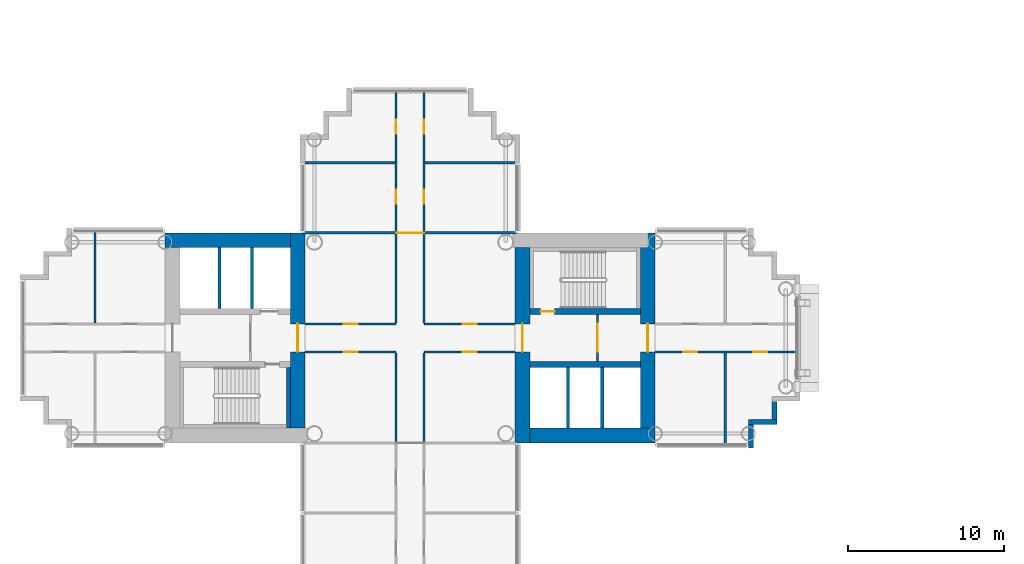
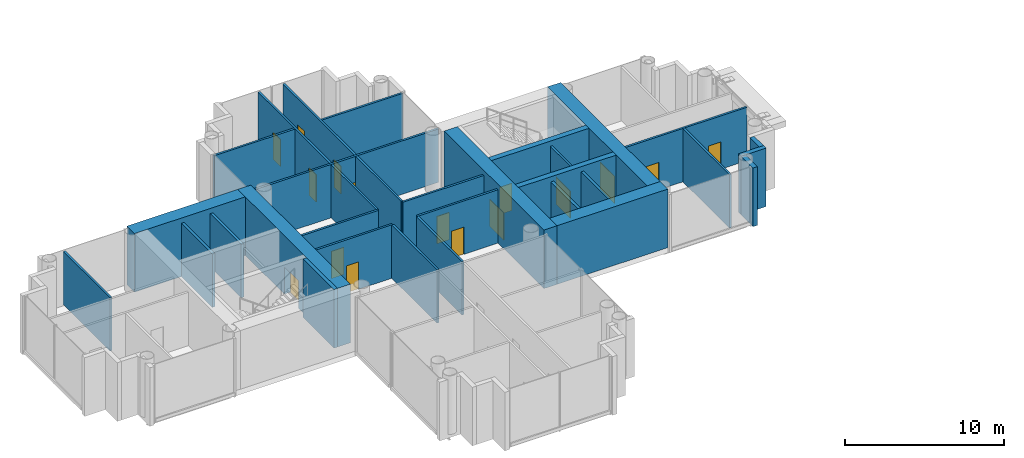
# One storey, part 11 of 20: 32 walls, 16 doors, 16 openings.
"""IFC4 building model written with IfcOpenShell, lengths in metres."""

from ifc_helpers import new_model, si_unit, direction, frame, frame_2d, origin, place, context, subcontext, project, spatial, rectangle, extrude, material, layer, layer_set, type_object, element, fill, save


model = new_model("IFC4")

# Units and contexts
model_context = context("Model", 3, precision=1e-05, world=origin(), true_north=direction((0.0, 1.0)))
body_context = subcontext(model_context, "Body", "Model", "MODEL_VIEW")
ifc_project = project(units=[si_unit("LENGTHUNIT", "METRE"), si_unit("AREAUNIT", "SQUARE_METRE"), si_unit("VOLUMEUNIT", "CUBIC_METRE"), si_unit("PLANEANGLEUNIT", "RADIAN"), si_unit("MASSUNIT", "GRAM", prefix="KILO")], contexts=[model_context])

# Site, building, storey
site_placement = place(None, origin())
site = spatial("IfcSite", under=ifc_project, at=site_placement, CompositionType="ELEMENT")
building_placement = place(site_placement, origin())
building = spatial("IfcBuilding", under=site, at=building_placement, Name="Ipe Terrace Towers", CompositionType="ELEMENT")
storey_placement = place(building_placement, frame((0.0, 0.0, 124.199951171875)))
storey = spatial("IfcBuildingStorey", under=building, at=storey_placement, Name="L34", CompositionType="ELEMENT", Elevation=124.199951171875)

# Walls
ifc_material_1 = material(Name="Concrete C40/50 with buff precast cladding", Category="concrete")
ifc_layer_1 = layer(ifc_material_1, 0.320068359375)
ifc_layer_set_1 = layer_set([ifc_layer_1], Name="BUFF CLADDING WALL 320")
wall_type_1 = type_object("IfcWallType", Name="BUFF CLADDING WALL 320", PredefinedType="STANDARD", material=ifc_layer_set_1)
wall_1_placement = place(storey_placement, frame((-14.090087890625, -7.070068359375, -0.300048828125), z_axis=(0.0, 0.0, 1.0), x_axis=(0.0, 1.0, 0.0)))
element("IfcWall", 1, at=wall_1_placement, inside=storey, type_object=wall_type_1, Name="T1-W-L34-21a wall", PredefinedType="STANDARD", context=body_context, shape_type="SweptSolid", body=[
    extrude(rectangle(XDim=1.5, YDim=0.320068359375, at=frame_2d((0.75, 0.0))), origin(), (0.0, 0.0, 1.0), 4.5),
])
wall_2_placement = place(storey_placement, frame((-14.25, -5.409912109375, -0.300048828125), z_axis=(0.0, 0.0, 1.0), x_axis=(1.0, 0.0, 0.0)))
element("IfcWall", 2, at=wall_2_placement, inside=storey, type_object=wall_type_1, Name="T1-W-L34-22a wall", PredefinedType="STANDARD", context=body_context, shape_type="SweptSolid", body=[
    extrude(rectangle(XDim=1.820068359375, YDim=0.320068359375, at=frame_2d((0.91015625, 0.0))), origin(), (0.0, 0.0, 1.0), 4.5),
])
wall_3_placement = place(storey_placement, frame((-12.590087890625, -5.25, -0.300048828125), z_axis=(0.0, 0.0, 1.0), x_axis=(0.0, 1.0, 0.0)))
element("IfcWall", 3, at=wall_3_placement, inside=storey, type_object=wall_type_1, Name="T1-W-L34-23a wall", PredefinedType="STANDARD", context=body_context, shape_type="SweptSolid", body=[
    extrude(rectangle(XDim=1.179931640625, YDim=0.320068359375, at=frame_2d((0.58984375, 0.0))), origin(), (0.0, 0.0, 1.0), 4.5),
])

# Wall, opening, door
ifc_material_2 = material(Name="Gypsum board partition", Category="plasterboard")
ifc_layer_2 = layer(ifc_material_2, 0.14990234375)
ifc_layer_set_2 = layer_set([ifc_layer_2], Name="Gypsum board partition 150 mm")
wall_type_2 = type_object("IfcWallType", Name="Gypsum board partition 150 mm", PredefinedType="PARTITIONING", material=ifc_layer_set_2)
wall_4_placement = place(storey_placement, frame((-23.949951171875, -1.5, 0.0), z_axis=(0.0, 0.0, 1.0), x_axis=(0.0, 1.0, 0.0)))
wall_4 = element("IfcWall", 4, at=wall_4_placement, inside=storey, type_object=wall_type_2, Name="Gypsum board partition T1 L34 t1c1-lobby-wall", PredefinedType="PARTITIONING", context=body_context, shape_type="SweptSolid", body=[
    extrude(rectangle(XDim=3.0, YDim=0.14990234375, at=frame_2d((1.5, 0.0))), origin(), (0.0, 0.0, 1.0), 4.10009765625),
])
opening_1_placement = place(wall_4_placement, frame((0.60009765625, 0.0, 0.0)))
opening_1 = element("IfcOpeningElement", 5, at=opening_1_placement, cuts=wall_4, Name="Opening T1C1-VD", PredefinedType="OPENING", context=body_context, shape_type="SweptSolid", body=[
    extrude(rectangle(XDim=1.800048828125, YDim=2.10009765625, at=frame_2d((0.89990234375, 1.050048828125))), frame((0.0, 0.0849609375, 0.0), z_axis=(0.0, -1.0, 0.0), x_axis=(1.0, 0.0, 0.0)), (0.0, 0.0, 1.0), 0.169921875),
])
ifc_material_3 = material(Name="Fire-rated timber door leaf", Category="wood")
door_type_1 = type_object("IfcDoorType", Name="Lobby door 1800 x 2100 FD60", OperationType="NOTDEFINED", PredefinedType="DOOR", material=ifc_material_3)
door_1_placement = place(opening_1_placement, origin())
door_1 = element("IfcDoor", 6, at=door_1_placement, inside=storey, type_object=door_type_1, Name="Lobby door T1C1-VD", OperationType="SINGLE_SWING_LEFT", OverallHeight=2.10009765625, OverallWidth=1.800048828125, PredefinedType="DOOR", context=body_context, shape_type="SweptSolid", body=[
    extrude(rectangle(XDim=1.800048828125, YDim=2.10009765625, at=frame_2d((0.89990234375, 1.050048828125))), frame((0.0, 0.02490234375, 0.0), z_axis=(0.0, -1.0, 0.0), x_axis=(1.0, 0.0, 0.0)), (0.0, 0.0, 1.0), 0.050048828125),
])
fill(opening_1, door_1)

wall_5_placement = place(storey_placement, frame((-35.10009765625, 0.89990234375, 0.0), z_axis=(0.0, 0.0, 1.0), x_axis=(1.0, 0.0, 0.0)))
wall_5 = element("IfcWall", 7, at=wall_5_placement, inside=storey, type_object=wall_type_2, Name="Gypsum board partition T1 L34 sp-hub-qen-x", PredefinedType="PARTITIONING", context=body_context, shape_type="SweptSolid", body=[
    extrude(rectangle(XDim=5.85009765625, YDim=0.14990234375, at=frame_2d((2.925048828125, 0.0))), origin(), (0.0, 0.0, 1.0), 4.10009765625),
])
opening_2_placement = place(wall_5_placement, frame((2.47509765625, 0.0, 0.0)))
opening_2 = element("IfcOpeningElement", 8, at=opening_2_placement, cuts=wall_5, Name="Opening T1-SP-HEN-FD60", PredefinedType="OPENING", context=body_context, shape_type="SweptSolid", body=[
    extrude(rectangle(XDim=0.89990234375, YDim=2.10009765625, at=frame_2d((0.449951171875, 1.050048828125))), frame((0.0, 0.0849609375, 0.0), z_axis=(0.0, -1.0, 0.0), x_axis=(1.0, 0.0, 0.0)), (0.0, 0.0, 1.0), 0.169921875),
])
ifc_material_4 = material(Name="Fire-rated timber door leaf", Category="wood")
door_type_2 = type_object("IfcDoorType", Name="Service door 900 x 2100 FD60", OperationType="NOTDEFINED", PredefinedType="DOOR", material=ifc_material_4)
door_2_placement = place(opening_2_placement, origin())
door_2 = element("IfcDoor", 9, at=door_2_placement, inside=storey, type_object=door_type_2, Name="Service door T1-SP-HEN-FD60", OperationType="SINGLE_SWING_LEFT", OverallHeight=2.10009765625, OverallWidth=0.89990234375, PredefinedType="DOOR", context=body_context, shape_type="SweptSolid", body=[
    extrude(rectangle(XDim=0.89990234375, YDim=2.10009765625, at=frame_2d((0.449951171875, 1.050048828125))), frame((0.0, 0.02490234375, 0.0), z_axis=(0.0, -1.0, 0.0), x_axis=(1.0, 0.0, 0.0)), (0.0, 0.0, 1.0), 0.050048828125),
])
fill(opening_2, door_2)

# Wall
wall_6_placement = place(storey_placement, frame((-35.10009765625, 0.97509765625, 0.0), z_axis=(0.0, 0.0, 1.0), x_axis=(0.0, 1.0, 0.0)))
element("IfcWall", 10, at=wall_6_placement, inside=storey, type_object=wall_type_2, Name="Gypsum board partition T1 L34 sp-hub-qen-y", PredefinedType="PARTITIONING", context=body_context, shape_type="SweptSolid", body=[
    extrude(rectangle(XDim=5.699951171875, YDim=0.14990234375, at=frame_2d((2.85009765625, 0.0))), origin(), (0.0, 0.0, 1.0), 4.10009765625),
])

# Wall, opening, door
wall_7_placement = place(storey_placement, frame((-35.10009765625, -0.89990234375, 0.0), z_axis=(0.0, 0.0, 1.0), x_axis=(1.0, 0.0, 0.0)))
wall_7 = element("IfcWall", 11, at=wall_7_placement, inside=storey, type_object=wall_type_2, Name="Gypsum board partition T1 L34 sp-hub-qes-x", PredefinedType="PARTITIONING", context=body_context, shape_type="SweptSolid", body=[
    extrude(rectangle(XDim=5.85009765625, YDim=0.14990234375, at=frame_2d((2.925048828125, 0.0))), origin(), (0.0, 0.0, 1.0), 4.10009765625),
])
opening_3_placement = place(wall_7_placement, frame((2.47509765625, 0.0, 0.0)))
opening_3 = element("IfcOpeningElement", 12, at=opening_3_placement, cuts=wall_7, Name="Opening T1-SP-HES-FD60", PredefinedType="OPENING", context=body_context, shape_type="SweptSolid", body=[
    extrude(rectangle(XDim=0.89990234375, YDim=2.10009765625, at=frame_2d((0.449951171875, 1.050048828125))), frame((0.0, 0.0849609375, 0.0), z_axis=(0.0, -1.0, 0.0), x_axis=(1.0, 0.0, 0.0)), (0.0, 0.0, 1.0), 0.169921875),
])
door_3_placement = place(opening_3_placement, origin())
door_3 = element("IfcDoor", 13, at=door_3_placement, inside=storey, type_object=door_type_2, Name="Service door T1-SP-HES-FD60", OperationType="SINGLE_SWING_RIGHT", OverallHeight=2.10009765625, OverallWidth=0.89990234375, PredefinedType="DOOR", context=body_context, shape_type="SweptSolid", body=[
    extrude(rectangle(XDim=0.89990234375, YDim=2.10009765625, at=frame_2d((0.449951171875, 1.050048828125))), frame((0.0, 0.02490234375, 0.0), z_axis=(0.0, -1.0, 0.0), x_axis=(1.0, 0.0, 0.0)), (0.0, 0.0, 1.0), 0.050048828125),
])
fill(opening_3, door_3)

# Wall
wall_8_placement = place(storey_placement, frame((-35.10009765625, -6.675048828125, 0.0), z_axis=(0.0, 0.0, 1.0), x_axis=(0.0, 1.0, 0.0)))
element("IfcWall", 14, at=wall_8_placement, inside=storey, type_object=wall_type_2, Name="Gypsum board partition T1 L34 sp-hub-qes-y", PredefinedType="PARTITIONING", context=body_context, shape_type="SweptSolid", body=[
    extrude(rectangle(XDim=5.699951171875, YDim=0.14990234375, at=frame_2d((2.85009765625, 0.0))), origin(), (0.0, 0.0, 1.0), 4.10009765625),
])

# Wall, opening, door
wall_9_placement = place(storey_placement, frame((-42.75, 0.89990234375, 0.0), z_axis=(0.0, 0.0, 1.0), x_axis=(1.0, 0.0, 0.0)))
wall_9 = element("IfcWall", 15, at=wall_9_placement, inside=storey, type_object=wall_type_2, Name="Gypsum board partition T1 L34 sp-hub-qwn-x", PredefinedType="PARTITIONING", context=body_context, shape_type="SweptSolid", body=[
    extrude(rectangle(XDim=5.85009765625, YDim=0.14990234375, at=frame_2d((2.925048828125, 0.0))), origin(), (0.0, 0.0, 1.0), 4.10009765625),
])
opening_4_placement = place(wall_9_placement, frame((2.47509765625, 0.0, 0.0)))
opening_4 = element("IfcOpeningElement", 16, at=opening_4_placement, cuts=wall_9, Name="Opening T1-SP-HWN-FD60", PredefinedType="OPENING", context=body_context, shape_type="SweptSolid", body=[
    extrude(rectangle(XDim=0.89990234375, YDim=2.10009765625, at=frame_2d((0.449951171875, 1.050048828125))), frame((0.0, 0.0849609375, 0.0), z_axis=(0.0, -1.0, 0.0), x_axis=(1.0, 0.0, 0.0)), (0.0, 0.0, 1.0), 0.169921875),
])
door_4_placement = place(opening_4_placement, origin())
door_4 = element("IfcDoor", 17, at=door_4_placement, inside=storey, type_object=door_type_2, Name="Service door T1-SP-HWN-FD60", OperationType="SINGLE_SWING_LEFT", OverallHeight=2.10009765625, OverallWidth=0.89990234375, PredefinedType="DOOR", context=body_context, shape_type="SweptSolid", body=[
    extrude(rectangle(XDim=0.89990234375, YDim=2.10009765625, at=frame_2d((0.449951171875, 1.050048828125))), frame((0.0, 0.02490234375, 0.0), z_axis=(0.0, -1.0, 0.0), x_axis=(1.0, 0.0, 0.0)), (0.0, 0.0, 1.0), 0.050048828125),
])
fill(opening_4, door_4)

# Wall
wall_10_placement = place(storey_placement, frame((-36.89990234375, 0.97509765625, 0.0), z_axis=(0.0, 0.0, 1.0), x_axis=(0.0, 1.0, 0.0)))
element("IfcWall", 18, at=wall_10_placement, inside=storey, type_object=wall_type_2, Name="Gypsum board partition T1 L34 sp-hub-qwn-y", PredefinedType="PARTITIONING", context=body_context, shape_type="SweptSolid", body=[
    extrude(rectangle(XDim=5.699951171875, YDim=0.14990234375, at=frame_2d((2.85009765625, 0.0))), origin(), (0.0, 0.0, 1.0), 4.10009765625),
])

# Wall, opening, door
wall_11_placement = place(storey_placement, frame((-42.75, -0.89990234375, 0.0), z_axis=(0.0, 0.0, 1.0), x_axis=(1.0, 0.0, 0.0)))
wall_11 = element("IfcWall", 19, at=wall_11_placement, inside=storey, type_object=wall_type_2, Name="Gypsum board partition T1 L34 sp-hub-qws-x", PredefinedType="PARTITIONING", context=body_context, shape_type="SweptSolid", body=[
    extrude(rectangle(XDim=5.85009765625, YDim=0.14990234375, at=frame_2d((2.925048828125, 0.0))), origin(), (0.0, 0.0, 1.0), 4.10009765625),
])
opening_5_placement = place(wall_11_placement, frame((2.47509765625, 0.0, 0.0)))
opening_5 = element("IfcOpeningElement", 20, at=opening_5_placement, cuts=wall_11, Name="Opening T1-SP-HWS-FD60", PredefinedType="OPENING", context=body_context, shape_type="SweptSolid", body=[
    extrude(rectangle(XDim=0.89990234375, YDim=2.10009765625, at=frame_2d((0.449951171875, 1.050048828125))), frame((0.0, 0.0849609375, 0.0), z_axis=(0.0, -1.0, 0.0), x_axis=(1.0, 0.0, 0.0)), (0.0, 0.0, 1.0), 0.169921875),
])
door_5_placement = place(opening_5_placement, origin())
door_5 = element("IfcDoor", 21, at=door_5_placement, inside=storey, type_object=door_type_2, Name="Service door T1-SP-HWS-FD60", OperationType="SINGLE_SWING_RIGHT", OverallHeight=2.10009765625, OverallWidth=0.89990234375, PredefinedType="DOOR", context=body_context, shape_type="SweptSolid", body=[
    extrude(rectangle(XDim=0.89990234375, YDim=2.10009765625, at=frame_2d((0.449951171875, 1.050048828125))), frame((0.0, 0.02490234375, 0.0), z_axis=(0.0, -1.0, 0.0), x_axis=(1.0, 0.0, 0.0)), (0.0, 0.0, 1.0), 0.050048828125),
])
fill(opening_5, door_5)

# Wall
wall_12_placement = place(storey_placement, frame((-36.89990234375, -6.675048828125, 0.0), z_axis=(0.0, 0.0, 1.0), x_axis=(0.0, 1.0, 0.0)))
element("IfcWall", 22, at=wall_12_placement, inside=storey, type_object=wall_type_2, Name="Gypsum board partition T1 L34 sp-hub-qws-y", PredefinedType="PARTITIONING", context=body_context, shape_type="SweptSolid", body=[
    extrude(rectangle(XDim=5.699951171875, YDim=0.14990234375, at=frame_2d((2.85009765625, 0.0))), origin(), (0.0, 0.0, 1.0), 4.10009765625),
])

# Wall, openings, doors
wall_13_placement = place(storey_placement, frame((-20.25, -0.89990234375, 0.0), z_axis=(0.0, 0.0, 1.0), x_axis=(1.0, 0.0, 0.0)))
wall_13 = element("IfcWall", 23, at=wall_13_placement, inside=storey, type_object=wall_type_2, Name="Gypsum board partition T1 L34 sp-Lp-wm", PredefinedType="PARTITIONING", context=body_context, shape_type="SweptSolid", body=[
    extrude(rectangle(XDim=9.10009765625, YDim=0.14990234375, at=frame_2d((4.550048828125, 0.0))), origin(), (0.0, 0.0, 1.0), 4.10009765625),
])
opening_6_placement = place(wall_13_placement, frame((1.800048828125, 0.0, 0.0)))
opening_6 = element("IfcOpeningElement", 24, at=opening_6_placement, cuts=wall_13, Name="Opening T1-SP-MLp1-FD60", PredefinedType="OPENING", context=body_context, shape_type="SweptSolid", body=[
    extrude(rectangle(XDim=0.89990234375, YDim=2.10009765625, at=frame_2d((0.449951171875, 1.050048828125))), frame((0.0, 0.0849609375, 0.0), z_axis=(0.0, -1.0, 0.0), x_axis=(1.0, 0.0, 0.0)), (0.0, 0.0, 1.0), 0.169921875),
])
opening_7_placement = place(wall_13_placement, frame((6.300048828125, 0.0, 0.0)))
opening_7 = element("IfcOpeningElement", 25, at=opening_7_placement, cuts=wall_13, Name="Opening T1-SP-MLp2-FD60", PredefinedType="OPENING", context=body_context, shape_type="SweptSolid", body=[
    extrude(rectangle(XDim=0.89990234375, YDim=2.10009765625, at=frame_2d((0.449951171875, 1.050048828125))), frame((0.0, 0.0849609375, 0.0), z_axis=(0.0, -1.0, 0.0), x_axis=(1.0, 0.0, 0.0)), (0.0, 0.0, 1.0), 0.169921875),
])
door_6_placement = place(opening_6_placement, origin())
door_6 = element("IfcDoor", 26, at=door_6_placement, inside=storey, type_object=door_type_2, Name="Service door T1-SP-MLp1-FD60", OperationType="SINGLE_SWING_LEFT", OverallHeight=2.10009765625, OverallWidth=0.89990234375, PredefinedType="DOOR", context=body_context, shape_type="SweptSolid", body=[
    extrude(rectangle(XDim=0.89990234375, YDim=2.10009765625, at=frame_2d((0.449951171875, 1.050048828125))), frame((0.0, 0.02490234375, 0.0), z_axis=(0.0, -1.0, 0.0), x_axis=(1.0, 0.0, 0.0)), (0.0, 0.0, 1.0), 0.050048828125),
])
fill(opening_6, door_6)
door_7_placement = place(opening_7_placement, origin())
door_7 = element("IfcDoor", 27, at=door_7_placement, inside=storey, type_object=door_type_2, Name="Service door T1-SP-MLp2-FD60", OperationType="SINGLE_SWING_RIGHT", OverallHeight=2.10009765625, OverallWidth=0.89990234375, PredefinedType="DOOR", context=body_context, shape_type="SweptSolid", body=[
    extrude(rectangle(XDim=0.89990234375, YDim=2.10009765625, at=frame_2d((0.449951171875, 1.050048828125))), frame((0.0, 0.02490234375, 0.0), z_axis=(0.0, -1.0, 0.0), x_axis=(1.0, 0.0, 0.0)), (0.0, 0.0, 1.0), 0.050048828125),
])
fill(opening_7, door_7)

# Walls
for number, where, z_axis, x_axis, name in (
    (28, (-15.75, -0.97509765625, 0.0), (0.0, 0.0, 1.0), (0.0, -1.0, 0.0), "Gypsum board partition T1 L34 sp-Lp-dm1"),
    (29, (-56.25, 0.97509765625, 0.0), (0.0, 0.0, 1.0), (0.0, 1.0, 0.0), "Gypsum board partition T1 L34 sp-Lm-dp1"),
):
    element("IfcWall", number, at=place(storey_placement, frame(where, z_axis=z_axis, x_axis=x_axis)), inside=storey, type_object=wall_type_2, Name=name, PredefinedType="PARTITIONING", context=body_context, shape_type="SweptSolid", body=[
        extrude(rectangle(XDim=5.875, YDim=0.14990234375, at=frame_2d((2.9375, 0.0))), origin(), (0.0, 0.0, 1.0), 4.10009765625),
    ])

# Wall, opening, door
wall_14_placement = place(storey_placement, frame((-42.85009765625, 6.75, 0.0), z_axis=(0.0, 0.0, 1.0), x_axis=(1.0, 0.0, 0.0)))
wall_14 = element("IfcWall", 30, at=wall_14_placement, inside=storey, type_object=wall_type_2, Name="Gypsum board partition T1 L34 sp-Sp-mouth", PredefinedType="PARTITIONING", context=body_context, shape_type="SweptSolid", body=[
    extrude(rectangle(XDim=13.7001953125, YDim=0.14990234375, at=frame_2d((6.85009765625, 0.0))), origin(), (0.0, 0.0, 1.0), 4.10009765625),
])
opening_8_placement = place(wall_14_placement, frame((5.949951171875, 0.0, 0.0)))
opening_8 = element("IfcOpeningElement", 31, at=opening_8_placement, cuts=wall_14, Name="Opening T1-SP-MSp", PredefinedType="OPENING", context=body_context, shape_type="SweptSolid", body=[
    extrude(rectangle(XDim=1.800048828125, YDim=2.10009765625, at=frame_2d((0.89990234375, 1.050048828125))), frame((0.0, 0.0849609375, 0.0), z_axis=(0.0, -1.0, 0.0), x_axis=(1.0, 0.0, 0.0)), (0.0, 0.0, 1.0), 0.169921875),
])
ifc_material_5 = material(Name="Fire-rated timber door leaf", Category="wood")
door_type_3 = type_object("IfcDoorType", Name="Lobby door 1800 x 2100 FD30S", OperationType="NOTDEFINED", PredefinedType="DOOR", material=ifc_material_5)
door_8_placement = place(opening_8_placement, origin())
door_8 = element("IfcDoor", 32, at=door_8_placement, inside=storey, type_object=door_type_3, Name="Lobby door T1-SP-MSp", OperationType="SINGLE_SWING_LEFT", OverallHeight=2.10009765625, OverallWidth=1.800048828125, PredefinedType="DOOR", context=body_context, shape_type="SweptSolid", body=[
    extrude(rectangle(XDim=1.800048828125, YDim=2.10009765625, at=frame_2d((0.89990234375, 1.050048828125))), frame((0.0, 0.02490234375, 0.0), z_axis=(0.0, -1.0, 0.0), x_axis=(1.0, 0.0, 0.0)), (0.0, 0.0, 1.0), 0.050048828125),
])
fill(opening_8, door_8)

# Wall, openings, doors
wall_15_placement = place(storey_placement, frame((-35.10009765625, 6.824951171875, 0.0), z_axis=(0.0, 0.0, 1.0), x_axis=(0.0, 1.0, 0.0)))
wall_15 = element("IfcWall", 33, at=wall_15_placement, inside=storey, type_object=wall_type_2, Name="Gypsum board partition T1 L34 sp-Sp-wp", PredefinedType="PARTITIONING", context=body_context, shape_type="SweptSolid", body=[
    extrude(rectangle(XDim=9.025146484375, YDim=0.14990234375, at=frame_2d((4.5126953125, 0.0))), origin(), (0.0, 0.0, 1.0), 4.10009765625),
])
opening_9_placement = place(wall_15_placement, frame((1.800048828125, 0.0, 0.0)))
opening_9 = element("IfcOpeningElement", 34, at=opening_9_placement, cuts=wall_15, Name="Opening T1-SP-PSp1-FD60", PredefinedType="OPENING", context=body_context, shape_type="SweptSolid", body=[
    extrude(rectangle(XDim=0.89990234375, YDim=2.10009765625, at=frame_2d((0.449951171875, 1.050048828125))), frame((0.0, 0.0849609375, 0.0), z_axis=(0.0, -1.0, 0.0), x_axis=(1.0, 0.0, 0.0)), (0.0, 0.0, 1.0), 0.169921875),
])
opening_10_placement = place(wall_15_placement, frame((6.300048828125, 0.0, 0.0)))
opening_10 = element("IfcOpeningElement", 35, at=opening_10_placement, cuts=wall_15, Name="Opening T1-SP-PSp2-FD60", PredefinedType="OPENING", context=body_context, shape_type="SweptSolid", body=[
    extrude(rectangle(XDim=0.89990234375, YDim=2.10009765625, at=frame_2d((0.449951171875, 1.050048828125))), frame((0.0, 0.0849609375, 0.0), z_axis=(0.0, -1.0, 0.0), x_axis=(1.0, 0.0, 0.0)), (0.0, 0.0, 1.0), 0.169921875),
])
door_9_placement = place(opening_9_placement, origin())
door_9 = element("IfcDoor", 36, at=door_9_placement, inside=storey, type_object=door_type_2, Name="Service door T1-SP-PSp1-FD60", OperationType="SINGLE_SWING_LEFT", OverallHeight=2.10009765625, OverallWidth=0.89990234375, PredefinedType="DOOR", context=body_context, shape_type="SweptSolid", body=[
    extrude(rectangle(XDim=0.89990234375, YDim=2.10009765625, at=frame_2d((0.449951171875, 1.050048828125))), frame((0.0, 0.02490234375, 0.0), z_axis=(0.0, -1.0, 0.0), x_axis=(1.0, 0.0, 0.0)), (0.0, 0.0, 1.0), 0.050048828125),
])
fill(opening_9, door_9)
door_10_placement = place(opening_10_placement, origin())
door_10 = element("IfcDoor", 37, at=door_10_placement, inside=storey, type_object=door_type_2, Name="Service door T1-SP-PSp2-FD60", OperationType="SINGLE_SWING_RIGHT", OverallHeight=2.10009765625, OverallWidth=0.89990234375, PredefinedType="DOOR", context=body_context, shape_type="SweptSolid", body=[
    extrude(rectangle(XDim=0.89990234375, YDim=2.10009765625, at=frame_2d((0.449951171875, 1.050048828125))), frame((0.0, 0.02490234375, 0.0), z_axis=(0.0, -1.0, 0.0), x_axis=(1.0, 0.0, 0.0)), (0.0, 0.0, 1.0), 0.050048828125),
])
fill(opening_10, door_10)

# Wall
wall_16_placement = place(storey_placement, frame((-35.02490234375, 11.25, 0.0), z_axis=(0.0, 0.0, 1.0), x_axis=(1.0, 0.0, 0.0)))
element("IfcWall", 38, at=wall_16_placement, inside=storey, type_object=wall_type_2, Name="Gypsum board partition T1 L34 sp-Sp-dp1", PredefinedType="PARTITIONING", context=body_context, shape_type="SweptSolid", body=[
    extrude(rectangle(XDim=5.875, YDim=0.14990234375, at=frame_2d((2.9375, 0.0))), origin(), (0.0, 0.0, 1.0), 4.10009765625),
])

# Wall, openings, doors
wall_17_placement = place(storey_placement, frame((-36.89990234375, 6.824951171875, 0.0), z_axis=(0.0, 0.0, 1.0), x_axis=(0.0, 1.0, 0.0)))
wall_17 = element("IfcWall", 39, at=wall_17_placement, inside=storey, type_object=wall_type_2, Name="Gypsum board partition T1 L34 sp-Sp-wm", PredefinedType="PARTITIONING", context=body_context, shape_type="SweptSolid", body=[
    extrude(rectangle(XDim=9.025146484375, YDim=0.14990234375, at=frame_2d((4.5126953125, 0.0))), origin(), (0.0, 0.0, 1.0), 4.10009765625),
])
opening_11_placement = place(wall_17_placement, frame((1.800048828125, 0.0, 0.0)))
opening_11 = element("IfcOpeningElement", 40, at=opening_11_placement, cuts=wall_17, Name="Opening T1-SP-MSp1-FD60", PredefinedType="OPENING", context=body_context, shape_type="SweptSolid", body=[
    extrude(rectangle(XDim=0.89990234375, YDim=2.10009765625, at=frame_2d((0.449951171875, 1.050048828125))), frame((0.0, 0.0849609375, 0.0), z_axis=(0.0, -1.0, 0.0), x_axis=(1.0, 0.0, 0.0)), (0.0, 0.0, 1.0), 0.169921875),
])
opening_12_placement = place(wall_17_placement, frame((6.300048828125, 0.0, 0.0)))
opening_12 = element("IfcOpeningElement", 41, at=opening_12_placement, cuts=wall_17, Name="Opening T1-SP-MSp2-FD60", PredefinedType="OPENING", context=body_context, shape_type="SweptSolid", body=[
    extrude(rectangle(XDim=0.89990234375, YDim=2.10009765625, at=frame_2d((0.449951171875, 1.050048828125))), frame((0.0, 0.0849609375, 0.0), z_axis=(0.0, -1.0, 0.0), x_axis=(1.0, 0.0, 0.0)), (0.0, 0.0, 1.0), 0.169921875),
])
door_11_placement = place(opening_11_placement, origin())
door_11 = element("IfcDoor", 42, at=door_11_placement, inside=storey, type_object=door_type_2, Name="Service door T1-SP-MSp1-FD60", OperationType="SINGLE_SWING_RIGHT", OverallHeight=2.10009765625, OverallWidth=0.89990234375, PredefinedType="DOOR", context=body_context, shape_type="SweptSolid", body=[
    extrude(rectangle(XDim=0.89990234375, YDim=2.10009765625, at=frame_2d((0.449951171875, 1.050048828125))), frame((0.0, 0.02490234375, 0.0), z_axis=(0.0, -1.0, 0.0), x_axis=(1.0, 0.0, 0.0)), (0.0, 0.0, 1.0), 0.050048828125),
])
fill(opening_11, door_11)
door_12_placement = place(opening_12_placement, origin())
door_12 = element("IfcDoor", 43, at=door_12_placement, inside=storey, type_object=door_type_2, Name="Service door T1-SP-MSp2-FD60", OperationType="SINGLE_SWING_LEFT", OverallHeight=2.10009765625, OverallWidth=0.89990234375, PredefinedType="DOOR", context=body_context, shape_type="SweptSolid", body=[
    extrude(rectangle(XDim=0.89990234375, YDim=2.10009765625, at=frame_2d((0.449951171875, 1.050048828125))), frame((0.0, 0.02490234375, 0.0), z_axis=(0.0, -1.0, 0.0), x_axis=(1.0, 0.0, 0.0)), (0.0, 0.0, 1.0), 0.050048828125),
])
fill(opening_12, door_12)

# Walls
wall_18_placement = place(storey_placement, frame((-36.97509765625, 11.25, 0.0), z_axis=(0.0, 0.0, 1.0), x_axis=(-1.0, 0.0, 0.0)))
element("IfcWall", 44, at=wall_18_placement, inside=storey, type_object=wall_type_2, Name="Gypsum board partition T1 L34 sp-Sp-dm1", PredefinedType="PARTITIONING", context=body_context, shape_type="SweptSolid", body=[
    extrude(rectangle(XDim=5.875, YDim=0.14990234375, at=frame_2d((2.9375, 0.0))), origin(), (0.0, 0.0, 1.0), 4.10009765625),
])
ifc_material_6 = material(Name="Gypsum board party wall", Category="plasterboard")
ifc_layer_3 = layer(ifc_material_6, 0.199951171875)
ifc_layer_set_3 = layer_set([ifc_layer_3], Name="Gypsum board party wall 200 mm")
wall_type_3 = type_object("IfcWallType", Name="Gypsum board party wall 200 mm", PredefinedType="SOLIDWALL", material=ifc_layer_set_3)
for number, where, z_axis, x_axis, name in (
    (45, (-25.85009765625, -5.800048828125, 0.0), (0.0, 0.0, 1.0), (0.0, 1.0, 0.0), "Gypsum board party wall T1 L34 t1c1-shaft-div1"),
    (46, (-23.64990234375, -5.800048828125, 0.0), (0.0, 0.0, 1.0), (0.0, 1.0, 0.0), "Gypsum board party wall T1 L34 t1c1-shaft-div2"),
    (47, (-46.14990234375, 5.800048828125, 0.0), (0.0, 0.0, 1.0), (0.0, -1.0, 0.0), "Gypsum board party wall T1 L34 t1c2-shaft-div1"),
    (48, (-48.25, 5.800048828125, 0.0), (0.0, 0.0, 1.0), (0.0, -1.0, 0.0), "Gypsum board party wall T1 L34 t1c2-shaft-div2"),
):
    element("IfcWall", number, at=place(storey_placement, frame(where, z_axis=z_axis, x_axis=x_axis)), inside=storey, type_object=wall_type_3, Name=name, PredefinedType="SOLIDWALL", context=body_context, shape_type="SweptSolid", body=[
        extrude(rectangle(XDim=3.900146484375, YDim=0.199951171875, at=frame_2d((1.9501953125, 0.0))), origin(), (0.0, 0.0, 1.0), 4.10009765625),
    ])
ifc_material_7 = material(Name="Concrete C50/60", Category="concrete")
ifc_layer_4 = layer(ifc_material_7, 0.25)
ifc_layer_set_4 = layer_set([ifc_layer_4], Name="RW250 CORE INFILL WALL 250 C50-60")
wall_type_4 = type_object("IfcWallType", Name="RW250 CORE INFILL WALL 250 C50-60", PredefinedType="SHEAR", material=ifc_layer_set_4)
wall_19_placement = place(storey_placement, frame((-43.824951171875, -1.89990234375, 0.0), z_axis=(0.0, 0.0, 1.0), x_axis=(0.0, -1.0, 0.0)))
element("IfcWall", 49, at=wall_19_placement, inside=storey, type_object=wall_type_4, Name="Core infill wall T1-C2-near", PredefinedType="SHEAR", context=body_context, shape_type="SweptSolid", body=[
    extrude(rectangle(XDim=3.900146484375, YDim=0.25, at=frame_2d((1.9501953125, 0.0))), origin(), (0.0, 0.0, 1.0), 4.5),
])
ifc_material_8 = material(Name="Concrete C50/60", Category="concrete")
ifc_layer_5 = layer(ifc_material_8, 0.39990234375)
ifc_layer_set_5 = layer_set([ifc_layer_5], Name="RW400 CORE SPINE WALL 400 C50-60")
wall_type_5 = type_object("IfcWallType", Name="RW400 CORE SPINE WALL 400 C50-60", PredefinedType="SHEAR", material=ifc_layer_set_5)
wall_20_placement = place(storey_placement, frame((-28.300048828125, -1.699951171875, 0.0), z_axis=(0.0, 0.0, 1.0), x_axis=(1.0, 0.0, 0.0)))
element("IfcWall", 50, at=wall_20_placement, inside=storey, type_object=wall_type_5, Name="Core spine wall T1-C1-Z2-SW1", PredefinedType="SHEAR", context=body_context, shape_type="SweptSolid", body=[
    extrude(rectangle(XDim=7.10009765625, YDim=0.39990234375, at=frame_2d((3.550048828125, 0.0))), origin(), (0.0, 0.0, 1.0), 4.5),
])

# Wall, opening, door
wall_21_placement = place(storey_placement, frame((-28.300048828125, 1.699951171875, 0.0), z_axis=(0.0, 0.0, 1.0), x_axis=(1.0, 0.0, 0.0)))
wall_21 = element("IfcWall", 51, at=wall_21_placement, inside=storey, type_object=wall_type_5, Name="Core spine wall T1-C1-Z2-SW2", PredefinedType="SHEAR", context=body_context, shape_type="SweptSolid", body=[
    extrude(rectangle(XDim=7.10009765625, YDim=0.39990234375, at=frame_2d((3.550048828125, 0.0))), origin(), (0.0, 0.0, 1.0), 4.5),
])
opening_13_placement = place(wall_21_placement, frame((0.699951171875, 0.0, 0.0)))
opening_13 = element("IfcOpeningElement", 52, at=opening_13_placement, cuts=wall_21, Name="Opening T1C1-SD", PredefinedType="OPENING", context=body_context, shape_type="SweptSolid", body=[
    extrude(rectangle(XDim=0.89990234375, YDim=2.10009765625, at=frame_2d((0.449951171875, 1.050048828125))), frame((0.0, 0.2099609375, 0.0), z_axis=(0.0, -1.0, 0.0), x_axis=(1.0, 0.0, 0.0)), (0.0, 0.0, 1.0), 0.419921875),
])
ifc_material_9 = material(Name="Fire-rated timber door leaf", Category="wood")
door_type_4 = type_object("IfcDoorType", Name="Stair door 900 x 2100 FD60", OperationType="NOTDEFINED", PredefinedType="DOOR", material=ifc_material_9)
door_13_placement = place(opening_13_placement, origin())
door_13 = element("IfcDoor", 53, at=door_13_placement, inside=storey, type_object=door_type_4, Name="Stair door T1C1-SD", OperationType="SINGLE_SWING_LEFT", OverallHeight=2.10009765625, OverallWidth=0.89990234375, PredefinedType="DOOR", context=body_context, shape_type="SweptSolid", body=[
    extrude(rectangle(XDim=0.89990234375, YDim=2.10009765625, at=frame_2d((0.449951171875, 1.050048828125))), frame((0.0, 0.02490234375, 0.0), z_axis=(0.0, -1.0, 0.0), x_axis=(1.0, 0.0, 0.0)), (0.0, 0.0, 1.0), 0.050048828125),
])
fill(opening_13, door_13)

# Wall
ifc_material_10 = material(Name="Concrete C50/60", Category="concrete")
ifc_layer_6 = layer(ifc_material_10, 0.949951171875)
ifc_layer_set_6 = layer_set([ifc_layer_6], Name="RW950 CORE WALL 950 C50-60")
wall_type_6 = type_object("IfcWallType", Name="RW950 CORE WALL 950 C50-60", PredefinedType="SHEAR", material=ifc_layer_set_6)
wall_22_placement = place(storey_placement, frame((-28.300048828125, -6.27490234375, 0.0), z_axis=(0.0, 0.0, 1.0), x_axis=(1.0, 0.0, 0.0)))
element("IfcWall", 54, at=wall_22_placement, inside=storey, type_object=wall_type_6, Name="Core wall T1-C1-Z2-W01", PredefinedType="SHEAR", context=body_context, shape_type="SweptSolid", body=[
    extrude(rectangle(XDim=8.050048828125, YDim=0.949951171875, at=frame_2d((4.02490234375, 0.0))), origin(), (0.0, 0.0, 1.0), 4.5),
])

# Wall, opening, door
wall_23_placement = place(storey_placement, frame((-20.72509765625, -5.800048828125, 0.0), z_axis=(0.0, 0.0, 1.0), x_axis=(0.0, 1.0, 0.0)))
wall_23 = element("IfcWall", 55, at=wall_23_placement, inside=storey, type_object=wall_type_6, Name="Core wall T1-C1-Z2-W02", PredefinedType="SHEAR", context=body_context, shape_type="SweptSolid", body=[
    extrude(rectangle(XDim=12.550048828125, YDim=0.949951171875, at=frame_2d((6.27490234375, 0.0))), origin(), (0.0, 0.0, 1.0), 4.5),
])
opening_14_placement = place(wall_23_placement, frame((4.89990234375, 0.0, 0.0)))
opening_14 = element("IfcOpeningElement", 56, at=opening_14_placement, cuts=wall_23, Name="Opening T1C1-FD", PredefinedType="OPENING", context=body_context, shape_type="SweptSolid", body=[
    extrude(rectangle(XDim=1.800048828125, YDim=2.10009765625, at=frame_2d((0.89990234375, 1.050048828125))), frame((0.0, 0.48486328125, 0.0), z_axis=(0.0, -1.0, 0.0), x_axis=(1.0, 0.0, 0.0)), (0.0, 0.0, 1.0), 0.969970703125),
])
ifc_material_11 = material(Name="Fire-rated timber door leaf", Category="wood")
door_type_5 = type_object("IfcDoorType", Name="Fire door 1800 x 2100 FD30S", OperationType="NOTDEFINED", PredefinedType="DOOR", material=ifc_material_11)
door_14_placement = place(opening_14_placement, origin())
door_14 = element("IfcDoor", 57, at=door_14_placement, inside=storey, type_object=door_type_5, Name="Fire door T1C1-FD", OperationType="SINGLE_SWING_LEFT", OverallHeight=2.10009765625, OverallWidth=1.800048828125, PredefinedType="DOOR", context=body_context, shape_type="SweptSolid", body=[
    extrude(rectangle(XDim=1.800048828125, YDim=2.10009765625, at=frame_2d((0.89990234375, 1.050048828125))), frame((0.0, 0.02490234375, 0.0), z_axis=(0.0, -1.0, 0.0), x_axis=(1.0, 0.0, 0.0)), (0.0, 0.0, 1.0), 0.050048828125),
])
fill(opening_14, door_14)

wall_24_placement = place(storey_placement, frame((-28.77490234375, 5.800048828125, 0.0), z_axis=(0.0, 0.0, 1.0), x_axis=(0.0, -1.0, 0.0)))
wall_24 = element("IfcWall", 58, at=wall_24_placement, inside=storey, type_object=wall_type_6, Name="Core wall T1-C1-Z2-W04", PredefinedType="SHEAR", context=body_context, shape_type="SweptSolid", body=[
    extrude(rectangle(XDim=12.550048828125, YDim=0.949951171875, at=frame_2d((6.27490234375, 0.0))), origin(), (0.0, 0.0, 1.0), 4.5),
])
opening_15_placement = place(wall_24_placement, frame((4.89990234375, 0.0, 0.0)))
opening_15 = element("IfcOpeningElement", 59, at=opening_15_placement, cuts=wall_24, Name="Opening T1C1-ND", PredefinedType="OPENING", context=body_context, shape_type="SweptSolid", body=[
    extrude(rectangle(XDim=1.800048828125, YDim=2.10009765625, at=frame_2d((0.89990234375, 1.050048828125))), frame((0.0, 0.48486328125, 0.0), z_axis=(0.0, -1.0, 0.0), x_axis=(1.0, 0.0, 0.0)), (0.0, 0.0, 1.0), 0.969970703125),
])
door_15_placement = place(opening_15_placement, origin())
door_15 = element("IfcDoor", 60, at=door_15_placement, inside=storey, type_object=door_type_5, Name="Fire door T1C1-ND", OperationType="SINGLE_SWING_LEFT", OverallHeight=2.10009765625, OverallWidth=1.800048828125, PredefinedType="DOOR", context=body_context, shape_type="SweptSolid", body=[
    extrude(rectangle(XDim=1.800048828125, YDim=2.10009765625, at=frame_2d((0.89990234375, 1.050048828125))), frame((0.0, 0.02490234375, 0.0), z_axis=(0.0, -1.0, 0.0), x_axis=(1.0, 0.0, 0.0)), (0.0, 0.0, 1.0), 0.050048828125),
])
fill(opening_15, door_15)

wall_25_placement = place(storey_placement, frame((-43.22509765625, -5.800048828125, 0.0), z_axis=(0.0, 0.0, 1.0), x_axis=(0.0, 1.0, 0.0)))
wall_25 = element("IfcWall", 61, at=wall_25_placement, inside=storey, type_object=wall_type_6, Name="Core wall T1-C2-Z2-W02", PredefinedType="SHEAR", context=body_context, shape_type="SweptSolid", body=[
    extrude(rectangle(XDim=12.550048828125, YDim=0.949951171875, at=frame_2d((6.27490234375, 0.0))), origin(), (0.0, 0.0, 1.0), 4.5),
])
opening_16_placement = place(wall_25_placement, frame((4.89990234375, 0.0, 0.0)))
opening_16 = element("IfcOpeningElement", 62, at=opening_16_placement, cuts=wall_25, Name="Opening T1C2-ND", PredefinedType="OPENING", context=body_context, shape_type="SweptSolid", body=[
    extrude(rectangle(XDim=1.800048828125, YDim=2.10009765625, at=frame_2d((0.89990234375, 1.050048828125))), frame((0.0, 0.48486328125, 0.0), z_axis=(0.0, -1.0, 0.0), x_axis=(1.0, 0.0, 0.0)), (0.0, 0.0, 1.0), 0.969970703125),
])
door_16_placement = place(opening_16_placement, origin())
door_16 = element("IfcDoor", 63, at=door_16_placement, inside=storey, type_object=door_type_5, Name="Fire door T1C2-ND", OperationType="SINGLE_SWING_LEFT", OverallHeight=2.10009765625, OverallWidth=1.800048828125, PredefinedType="DOOR", context=body_context, shape_type="SweptSolid", body=[
    extrude(rectangle(XDim=1.800048828125, YDim=2.10009765625, at=frame_2d((0.89990234375, 1.050048828125))), frame((0.0, 0.02490234375, 0.0), z_axis=(0.0, -1.0, 0.0), x_axis=(1.0, 0.0, 0.0)), (0.0, 0.0, 1.0), 0.050048828125),
])
fill(opening_16, door_16)

# Wall
wall_26_placement = place(storey_placement, frame((-43.699951171875, 6.27490234375, 0.0), z_axis=(0.0, 0.0, 1.0), x_axis=(-1.0, 0.0, 0.0)))
element("IfcWall", 64, at=wall_26_placement, inside=storey, type_object=wall_type_6, Name="Core wall T1-C2-Z2-W03", PredefinedType="SHEAR", context=body_context, shape_type="SweptSolid", body=[
    extrude(rectangle(XDim=8.050048828125, YDim=0.949951171875, at=frame_2d((4.02490234375, 0.0))), origin(), (0.0, 0.0, 1.0), 4.5),
])

save(model, "model.ifc")
